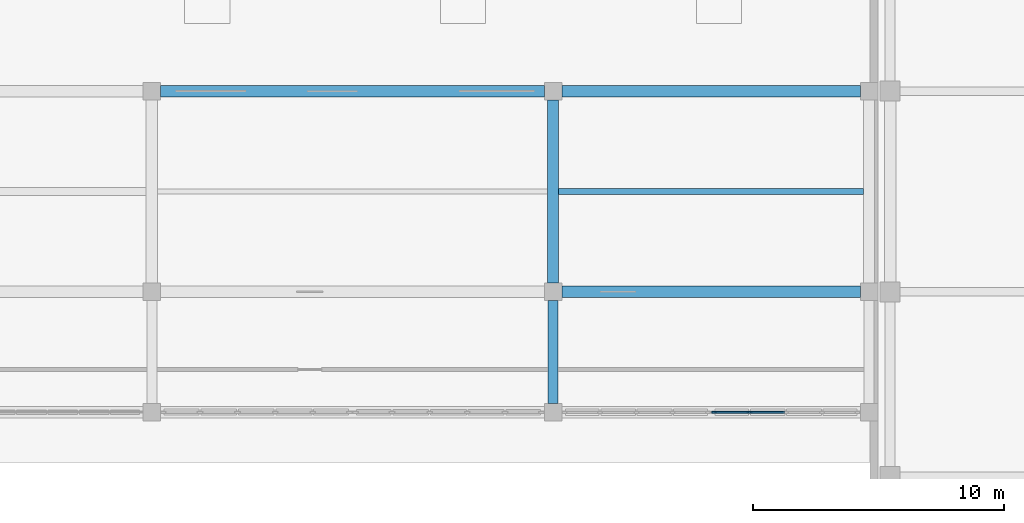
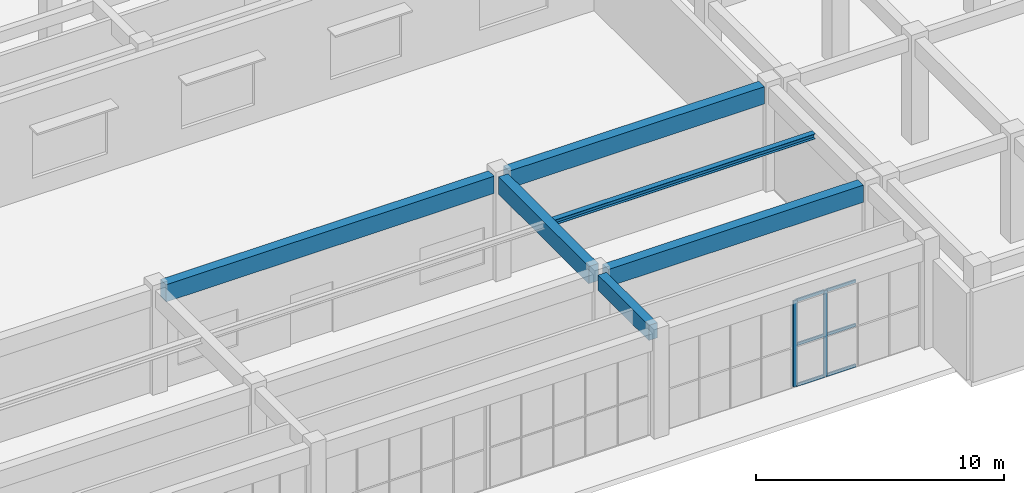
# One storey, part 15 of 46: 8 members, 6 beams, 1 element without a shape of its own.
"""IFC4 building model written with IfcOpenShell, lengths in metres."""

import ifcopenshell
import ifcopenshell.guid

model = None  # the IFC model being written
_history = None  # IfcOwnerHistory: only IFC2X3 demands one
_inside = {}  # id of a spatial element -> (the spatial element, [elements in it])
_under = {}  # id of a project, library or spatial element -> (it, [spatial elements below it])
_declared = {}  # id of a project -> (the project, [libraries it declares])
_typed = {}  # id of a type object -> (the type object, [elements of that type])
_made_of = {}  # id of a material, layer set ... -> (it, [elements and type objects made of it])


def new_model(schema):
    """Start an empty IFC model of exactly this schema.

    Asked for "IFC4X3", IfcOpenShell would pick the latest addendum, in which some entities
    have other attributes; the version numbers below select the first issue.
    IFC2X3 requires an IfcOwnerHistory on every rooted entity: one is made here for all.
    """
    global model, _history
    if schema == "IFC4X3":
        model = ifcopenshell.file(schema_version=(4, 3, 0, 0))
    else:
        model = ifcopenshell.file(schema=schema)
    _inside.clear()
    _under.clear()
    _declared.clear()
    _typed.clear()
    _made_of.clear()
    _history = None
    if model.schema == "IFC2X3":
        org = make("IfcOrganization", Name="unknown")
        user = make(
            "IfcPersonAndOrganization",
            ThePerson=make("IfcPerson", FamilyName="unknown"),
            TheOrganization=org,
        )
        app = make(
            "IfcApplication",
            ApplicationDeveloper=org,
            Version="unknown",
            ApplicationFullName="unknown",
            ApplicationIdentifier="unknown",
        )
        _history = make(
            "IfcOwnerHistory",
            OwningUser=user,
            OwningApplication=app,
            ChangeAction="ADDED",
            CreationDate=0,
        )
    return model


def make(cls, **values):
    """One entity of the class cls with the attributes given. An attribute that is None is left unset."""
    return model.create_entity(
        cls, **{name: value for name, value in values.items() if value is not None}
    )


def rooted(cls, **values):
    """An entity with a GlobalId (a new one), such as an element, a storey or a relation."""
    return make(cls, GlobalId=ifcopenshell.guid.new(), OwnerHistory=_history, **values)


def si_unit(unit_type, name, prefix=None):
    """IfcSIUnit, for example si_unit("LENGTHUNIT", "METRE", prefix="MILLI")."""
    return make("IfcSIUnit", UnitType=unit_type, Prefix=prefix, Name=name)


def assignment(units):
    """IfcUnitAssignment: the units of a project."""
    return None if units is None else make("IfcUnitAssignment", Units=units)


def point(xyz):
    """IfcCartesianPoint."""
    return None if xyz is None else make("IfcCartesianPoint", Coordinates=xyz)


def direction(xyz):
    """IfcDirection."""
    return None if xyz is None else make("IfcDirection", DirectionRatios=xyz)


def frame(location, z_axis=None, x_axis=None):
    """IfcAxis2Placement3D, a coordinate frame: its origin and axes. An axis left out is left unset."""
    return make(
        "IfcAxis2Placement3D",
        Location=point(location),
        Axis=direction(z_axis),
        RefDirection=direction(x_axis),
    )


def frame_2d(location, x_axis=None):
    """IfcAxis2Placement2D, a coordinate frame in the plane: its origin and x axis."""
    return make(
        "IfcAxis2Placement2D", Location=point(location), RefDirection=direction(x_axis)
    )


def origin():
    """The frame at (0, 0, 0) with its axes left unset."""
    return frame((0.0, 0.0, 0.0))


def origin_2d():
    """The frame at (0, 0) in the plane with its x axis left unset."""
    return frame_2d((0.0, 0.0))


def place(relative_to, where):
    """IfcLocalPlacement: puts the frame where relative to a parent placement (None: the world)."""
    return make(
        "IfcLocalPlacement", PlacementRelTo=relative_to, RelativePlacement=where
    )


def context(
    kind, dimensions, precision=None, world=None, true_north=None, identifier=None
):
    """IfcGeometricRepresentationContext, for example the 3D "Model" context."""
    return make(
        "IfcGeometricRepresentationContext",
        ContextIdentifier=identifier,
        ContextType=kind,
        CoordinateSpaceDimension=dimensions,
        Precision=precision,
        WorldCoordinateSystem=world,
        TrueNorth=true_north,
    )


def subcontext(parent, identifier, kind, view, scale=None):
    """IfcGeometricRepresentationSubContext, for example "Body" below "Model"."""
    return make(
        "IfcGeometricRepresentationSubContext",
        ContextIdentifier=identifier,
        ContextType=kind,
        ParentContext=parent,
        TargetScale=scale,
        TargetView=view,
    )


def project(units=None, contexts=None):
    """IfcProject with its units and contexts."""
    return rooted(
        "IfcProject",
        Name="project",
        RepresentationContexts=contexts,
        UnitsInContext=assignment(units),
    )


def spatial(cls, under=None, at=None, **own):
    """A site, building, storey or space (cls), placed at a placement, below another one or the project."""
    s = rooted(cls, ObjectPlacement=at, **own)
    if under is not None:
        _under.setdefault(under.id(), (under, []))[1].append(s)
    return s


def profile(cls, at=None, kind="AREA", **sizes):
    """A parametric profile (cls). Its sizes go by their IFC names, for example OverallWidth=200.0."""
    return make(cls, ProfileType=kind, Position=at, **sizes)


def rectangle(**sizes):
    """IfcRectangleProfileDef."""
    return profile("IfcRectangleProfileDef", **sizes)


def i_section(**sizes):
    """IfcIShapeProfileDef."""
    return profile("IfcIShapeProfileDef", **sizes)


def extrude(swept, where, along, depth):
    """IfcExtrudedAreaSolid: the profile swept, set in the frame where, extruded along a direction by depth."""
    return make(
        "IfcExtrudedAreaSolid",
        SweptArea=swept,
        Position=where,
        ExtrudedDirection=direction(along),
        Depth=depth,
    )


def shape(context_of_items, identifier, shape_type, items):
    """IfcShapeRepresentation: the items that make up one representation, for example the "Body"."""
    return make(
        "IfcShapeRepresentation",
        ContextOfItems=context_of_items,
        RepresentationIdentifier=identifier,
        RepresentationType=shape_type,
        Items=items,
    )


def material(Name=None, Category=None):
    """IfcMaterial."""
    return make("IfcMaterial", Name=Name, Category=Category)


def layer(
    of_material, thickness, ventilated=None, Name=None, Category=None, Priority=None
):
    """IfcMaterialLayer: one layer of a wall or slab, of a material (None: an air gap)."""
    return make(
        "IfcMaterialLayer",
        Material=of_material,
        LayerThickness=thickness,
        IsVentilated=ventilated,
        Name=Name,
        Category=Category,
        Priority=Priority,
    )


def layer_set(layers, Name=None):
    """IfcMaterialLayerSet."""
    return make("IfcMaterialLayerSet", MaterialLayers=layers, LayerSetName=Name)


def material_profile(
    of_material, cross_section, Name=None, Category=None, Priority=None
):
    """IfcMaterialProfile: a cross section and its material."""
    return make(
        "IfcMaterialProfile",
        Name=Name,
        Material=of_material,
        Profile=cross_section,
        Priority=Priority,
        Category=Category,
    )


def profile_set(profiles, Name=None, composite=None):
    """IfcMaterialProfileSet."""
    return make(
        "IfcMaterialProfileSet",
        Name=Name,
        MaterialProfiles=profiles,
        CompositeProfile=composite,
    )


def made_of(thing, what):
    """Note that an element or type object is made of a material, layer set ...; save() writes the relation."""
    if what is not None:
        _made_of.setdefault(what.id(), (what, []))[1].append(thing)
    return thing


def type_object(cls, material=None, **own):
    """A type object (cls), such as IfcWallType, which elements share."""
    return made_of(rooted(cls, **own), material)


def element(
    cls,
    number,
    at=None,
    inside=None,
    cuts=None,
    type_object=None,
    material=None,
    context=None,
    identifier="Body",
    shape_type=None,
    held_by="IfcProductDefinitionShape",
    body=None,
    shapes=None,
    **own,
):
    """One element of the class cls, such as IfcWall. Its Tag is "e" and its number.

    at: its placement. inside: the storey or other place that contains it. cuts: it is an
    opening in that element (IfcRelVoidsElement). A single representation is given by context,
    identifier, shape_type and body (its items); several are given by shapes. held_by: the class
    of the entity that holds the representations. save() writes the other relations.
    """
    e = rooted(cls, Tag="e%d" % number, ObjectPlacement=at, **own)
    if body is not None:
        shapes = [shape(context, identifier, shape_type, body)]
    if shapes is not None:
        e.Representation = make(held_by, Representations=shapes)
    if inside is not None:
        _inside.setdefault(inside.id(), (inside, []))[1].append(e)
    if cuts is not None:
        rooted(
            "IfcRelVoidsElement", RelatingBuildingElement=cuts, RelatedOpeningElement=e
        )
    if type_object is not None:
        _typed.setdefault(type_object.id(), (type_object, []))[1].append(e)
    return made_of(e, material)


def aggregate(whole, parts):
    """IfcRelAggregates: a whole, such as a stair, and the parts it consists of."""
    return rooted("IfcRelAggregates", RelatingObject=whole, RelatedObjects=parts)


def save(model, path):
    """Write the relations noted so far, then the file.

    IfcRelAggregates (storeys below a building ...), IfcRelContainedInSpatialStructure (elements
    in a storey), IfcRelDefinesByType, IfcRelAssociatesMaterial and IfcRelDeclares: one each for
    every whole, place, type object, material and project.
    """
    for whole, parts in _under.values():
        aggregate(whole, parts)
    for where, things in _inside.values():
        rooted(
            "IfcRelContainedInSpatialStructure",
            RelatedElements=things,
            RelatingStructure=where,
        )
    for kind, things in _typed.values():
        rooted("IfcRelDefinesByType", RelatedObjects=things, RelatingType=kind)
    for what, things in _made_of.values():
        rooted("IfcRelAssociatesMaterial", RelatedObjects=things, RelatingMaterial=what)
    for by, libraries in _declared.values():
        rooted("IfcRelDeclares", RelatingContext=by, RelatedDefinitions=libraries)
    model.write(path)


model = new_model("IFC4")

# Units and contexts
model_context = context("Model", 3, precision=1e-05, world=origin(), true_north=direction((0.0, 1.0)))
body_context = subcontext(model_context, "Body", "Model", "MODEL_VIEW")
ifc_project = project(units=[si_unit("LENGTHUNIT", "METRE"), si_unit("AREAUNIT", "SQUARE_METRE"), si_unit("VOLUMEUNIT", "CUBIC_METRE"), si_unit("PLANEANGLEUNIT", "RADIAN"), si_unit("MASSUNIT", "GRAM", prefix="KILO")], contexts=[model_context])

# Site, building, storey
site_placement = place(None, origin())
site = spatial("IfcSite", under=ifc_project, at=site_placement, CompositionType="ELEMENT")
building_placement = place(site_placement, origin())
building = spatial("IfcBuilding", under=site, at=building_placement, Name="Cinchona Park Media Centre", CompositionType="ELEMENT")
storey_placement = place(building_placement, origin())
storey = spatial("IfcBuildingStorey", under=building, at=storey_placement, Name="L00", CompositionType="ELEMENT", Elevation=0.0)

# Beams
ifc_material_1 = material(Name="Concrete C35/45", Category="concrete")
ifc_material_profile_1 = material_profile(ifc_material_1, rectangle(XDim=0.39990234375, YDim=0.75, at=origin_2d()), Name="RB 400X750")
ifc_profile_set_1 = profile_set([ifc_material_profile_1], Name="Concrete C35/45")
beam_type_1 = type_object("IfcBeamType", Name="BEAM-B01-RB400X750", PredefinedType="BEAM", material=ifc_profile_set_1)
beam_1_placement = place(storey_placement, frame((126.800048828125, 75.14990234375, 4.764892578125), z_axis=(0.0, 1.0, 0.0), x_axis=(-1.0, 0.0, 0.0)))
element("IfcBeam", 1, at=beam_1_placement, inside=storey, type_object=beam_type_1, Name="Girder B01 L00", PredefinedType="BEAM", context=body_context, shape_type="SweptSolid", body=[
    extrude(rectangle(XDim=0.39990234375, YDim=0.75, at=origin_2d()), origin(), (0.0, 0.0, 1.0), 4.10009765625),
])
ifc_material_2 = material(Name="Concrete C35/45", Category="concrete")
ifc_material_profile_2 = material_profile(ifc_material_2, rectangle(XDim=0.449951171875, YDim=0.85009765625, at=origin_2d()), Name="RB 450X850")
ifc_profile_set_2 = profile_set([ifc_material_profile_2], Name="Concrete C35/45")
beam_type_2 = type_object("IfcBeamType", Name="BEAM-B02-RB450X850", PredefinedType="BEAM", material=ifc_profile_set_2)
beam_2_placement = place(storey_placement, frame((127.14990234375, 79.60009765625, 4.715087890625), z_axis=(1.0, 0.0, 0.0), x_axis=(0.0, 1.0, 0.0)))
element("IfcBeam", 2, at=beam_2_placement, inside=storey, type_object=beam_type_2, Name="Beam B02 L00", PredefinedType="BEAM", context=body_context, shape_type="SweptSolid", body=[
    extrude(rectangle(XDim=0.449951171875, YDim=0.85009765625, at=origin_2d()), origin(), (0.0, 0.0, 1.0), 11.900146484375),
])
beam_3_placement = place(storey_placement, frame((111.14990234375, 87.60009765625, 4.715087890625), z_axis=(1.0, 0.0, 0.0), x_axis=(0.0, 1.0, 0.0)))
element("IfcBeam", 3, at=beam_3_placement, inside=storey, type_object=beam_type_2, Name="Beam B02 L00", PredefinedType="BEAM", context=body_context, shape_type="SweptSolid", body=[
    extrude(rectangle(XDim=0.449951171875, YDim=0.85009765625, at=origin_2d()), origin(), (0.0, 0.0, 1.0), 15.300048828125),
])
beam_4_placement = place(storey_placement, frame((127.14990234375, 87.60009765625, 4.715087890625), z_axis=(1.0, 0.0, 0.0), x_axis=(0.0, 1.0, 0.0)))
element("IfcBeam", 4, at=beam_4_placement, inside=storey, type_object=beam_type_2, Name="Beam B02 L00", PredefinedType="BEAM", context=body_context, shape_type="SweptSolid", body=[
    extrude(rectangle(XDim=0.449951171875, YDim=0.85009765625, at=origin_2d()), origin(), (0.0, 0.0, 1.0), 11.900146484375),
])
beam_5_placement = place(storey_placement, frame((126.800048828125, 79.949951171875, 4.715087890625), z_axis=(0.0, 1.0, 0.0), x_axis=(-1.0, 0.0, 0.0)))
element("IfcBeam", 5, at=beam_5_placement, inside=storey, type_object=beam_type_2, Name="Girder B02 L00", PredefinedType="BEAM", context=body_context, shape_type="SweptSolid", body=[
    extrude(rectangle(XDim=0.449951171875, YDim=0.85009765625, at=origin_2d()), origin(), (0.0, 0.0, 1.0), 7.300048828125),
])
ifc_material_3 = material(Name="Steel S355", Category="steel")
ifc_material_profile_3 = material_profile(ifc_material_3, i_section(OverallWidth=0.25390625, OverallDepth=0.2529296875, WebThickness=0.008544921875, FlangeThickness=0.01416015625, at=origin_2d()), Name="W250X73")
ifc_profile_set_3 = profile_set([ifc_material_profile_3], Name="Steel S355")
beam_type_3 = type_object("IfcBeamType", Name="BEAM-J04-W250X73", PredefinedType="JOIST", material=ifc_profile_set_3)
beam_6_placement = place(storey_placement, frame((127.02490234375, 83.60009765625, 5.013427734375), z_axis=(1.0, 0.0, 0.0), x_axis=(0.0, 1.0, 0.0)))
element("IfcBeam", 6, at=beam_6_placement, inside=storey, type_object=beam_type_3, Name="Floor Joist J04 L00", PredefinedType="JOIST", context=body_context, shape_type="SweptSolid", body=[
    extrude(i_section(OverallWidth=0.25390625, OverallDepth=0.2529296875, WebThickness=0.008544921875, FlangeThickness=0.01416015625, at=origin_2d()), origin(), (0.0, 0.0, 1.0), 12.150146484375),
])

# Curtain wall, members
ifc_material_4 = material(Name="Aluminium Curtain Wall Framing", Category="aluminium")
ifc_layer = layer(ifc_material_4, 0.284912109375)
ifc_layer_set = layer_set([ifc_layer], Name="Aluminium Curtain Wall Framing")
curtain_wall_type = type_object("IfcCurtainWallType", Name="CW-CW08", PredefinedType="USERDEFINED", material=ifc_layer_set)
curtain_wall_placement = place(storey_placement, origin())
curtain_wall = element("IfcCurtainWall", 7, at=curtain_wall_placement, inside=storey, type_object=curtain_wall_type, Name="Curtain Wall CW08 L00", ObjectType="UNITISED CURTAIN WALL", PredefinedType="USERDEFINED")
ifc_material_5 = material(Name="Anodised Aluminium Alloy 6063-T6", Category="aluminium")
ifc_material_profile_4 = material_profile(ifc_material_5, rectangle(XDim=0.070068359375, YDim=0.179931640625, at=origin_2d()), Name="MUL-70X180")
ifc_profile_set_4 = profile_set([ifc_material_profile_4], Name="Anodised Aluminium Alloy 6063-T6")
member_type_1 = type_object("IfcMemberType", Name="MULLION-MUL02", PredefinedType="MULLION", material=ifc_profile_set_4)
member_1_placement = place(storey_placement, frame((134.6298828125, 74.800048828125, 0.050048828125), z_axis=(0.0, 0.0, 1.0), x_axis=(0.0, -1.0, 0.0)))
member_1 = element("IfcMember", 8, at=member_1_placement, type_object=member_type_1, Name="CW08 mullion 4", PredefinedType="MULLION", context=body_context, shape_type="SweptSolid", body=[
    extrude(rectangle(XDim=0.070068359375, YDim=0.179931640625, at=origin_2d()), origin(), (0.0, 0.0, 1.0), 4.239990234375),
])
member_2_placement = place(storey_placement, frame((133.215087890625, 74.800048828125, 0.050048828125), z_axis=(0.0, 0.0, 1.0), x_axis=(0.0, -1.0, 0.0)))
member_2 = element("IfcMember", 9, at=member_2_placement, type_object=member_type_1, Name="CW08 mullion 5", PredefinedType="MULLION", context=body_context, shape_type="SweptSolid", body=[
    extrude(rectangle(XDim=0.070068359375, YDim=0.179931640625, at=origin_2d()), origin(), (0.0, 0.0, 1.0), 4.239990234375),
])
ifc_material_6 = material(Name="Anodised Aluminium Alloy 6063-T6", Category="aluminium")
ifc_material_profile_5 = material_profile(ifc_material_6, rectangle(XDim=0.070068359375, YDim=0.139892578125, at=origin_2d()), Name="TRN-70X140")
ifc_profile_set_5 = profile_set([ifc_material_profile_5], Name="Anodised Aluminium Alloy 6063-T6")
member_type_2 = type_object("IfcMemberType", Name="TRANSOM-TRN02", PredefinedType="USERDEFINED", material=ifc_profile_set_5)
member_3_placement = place(storey_placement, frame((136.044921875, 74.800048828125, 0.0849609375), z_axis=(-1.0, 0.0, 0.0), x_axis=(0.0, -1.0, 0.0)))
member_3 = element("IfcMember", 10, at=member_3_placement, type_object=member_type_2, Name="CW08 transom 3.1", ObjectType="TRANSOM", PredefinedType="USERDEFINED", context=body_context, shape_type="SweptSolid", body=[
    extrude(rectangle(XDim=0.070068359375, YDim=0.139892578125, at=origin_2d()), origin(), (0.0, 0.0, 1.0), 1.3798828125),
])
member_4_placement = place(storey_placement, frame((136.044921875, 74.800048828125, 2.0849609375), z_axis=(-1.0, 0.0, 0.0), x_axis=(0.0, -1.0, 0.0)))
member_4 = element("IfcMember", 11, at=member_4_placement, type_object=member_type_2, Name="CW08 transom 3.2", ObjectType="TRANSOM", PredefinedType="USERDEFINED", context=body_context, shape_type="SweptSolid", body=[
    extrude(rectangle(XDim=0.070068359375, YDim=0.139892578125, at=origin_2d()), origin(), (0.0, 0.0, 1.0), 1.3798828125),
])
member_5_placement = place(storey_placement, frame((136.044921875, 74.800048828125, 4.2548828125), z_axis=(-1.0, 0.0, 0.0), x_axis=(0.0, -1.0, 0.0)))
member_5 = element("IfcMember", 12, at=member_5_placement, type_object=member_type_2, Name="CW08 transom 3.3", ObjectType="TRANSOM", PredefinedType="USERDEFINED", context=body_context, shape_type="SweptSolid", body=[
    extrude(rectangle(XDim=0.070068359375, YDim=0.139892578125, at=origin_2d()), origin(), (0.0, 0.0, 1.0), 1.3798828125),
])
member_6_placement = place(storey_placement, frame((134.594970703125, 74.800048828125, 0.0849609375), z_axis=(-1.0, 0.0, 0.0), x_axis=(0.0, -1.0, 0.0)))
member_6 = element("IfcMember", 13, at=member_6_placement, type_object=member_type_2, Name="CW08 transom 4.1", ObjectType="TRANSOM", PredefinedType="USERDEFINED", context=body_context, shape_type="SweptSolid", body=[
    extrude(rectangle(XDim=0.070068359375, YDim=0.139892578125, at=origin_2d()), origin(), (0.0, 0.0, 1.0), 1.344970703125),
])
member_7_placement = place(storey_placement, frame((134.594970703125, 74.800048828125, 2.0849609375), z_axis=(-1.0, 0.0, 0.0), x_axis=(0.0, -1.0, 0.0)))
member_7 = element("IfcMember", 14, at=member_7_placement, type_object=member_type_2, Name="CW08 transom 4.2", ObjectType="TRANSOM", PredefinedType="USERDEFINED", context=body_context, shape_type="SweptSolid", body=[
    extrude(rectangle(XDim=0.070068359375, YDim=0.139892578125, at=origin_2d()), origin(), (0.0, 0.0, 1.0), 1.344970703125),
])
member_8_placement = place(storey_placement, frame((134.594970703125, 74.800048828125, 4.2548828125), z_axis=(-1.0, 0.0, 0.0), x_axis=(0.0, -1.0, 0.0)))
member_8 = element("IfcMember", 15, at=member_8_placement, type_object=member_type_2, Name="CW08 transom 4.3", ObjectType="TRANSOM", PredefinedType="USERDEFINED", context=body_context, shape_type="SweptSolid", body=[
    extrude(rectangle(XDim=0.070068359375, YDim=0.139892578125, at=origin_2d()), origin(), (0.0, 0.0, 1.0), 1.344970703125),
])
aggregate(curtain_wall, [member_1, member_2, member_3, member_4, member_5, member_6, member_7, member_8])

save(model, "model.ifc")
